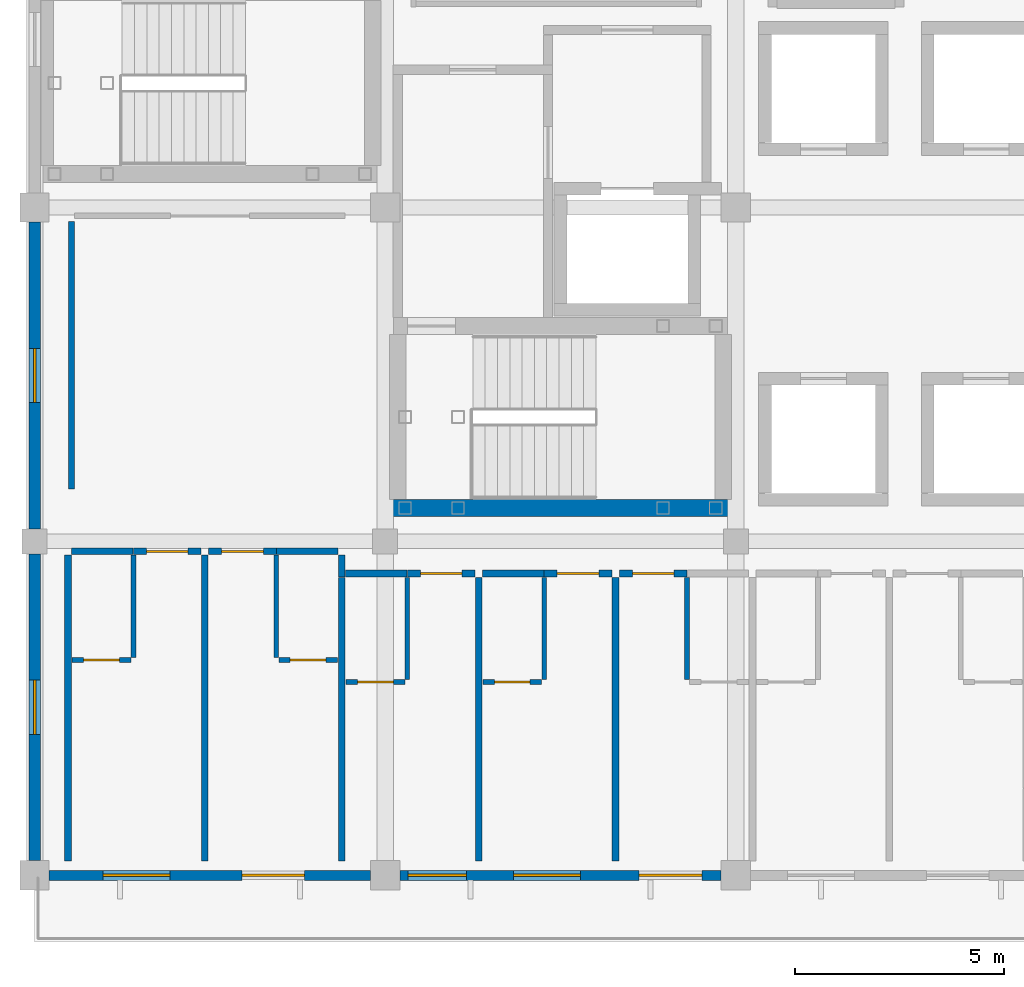
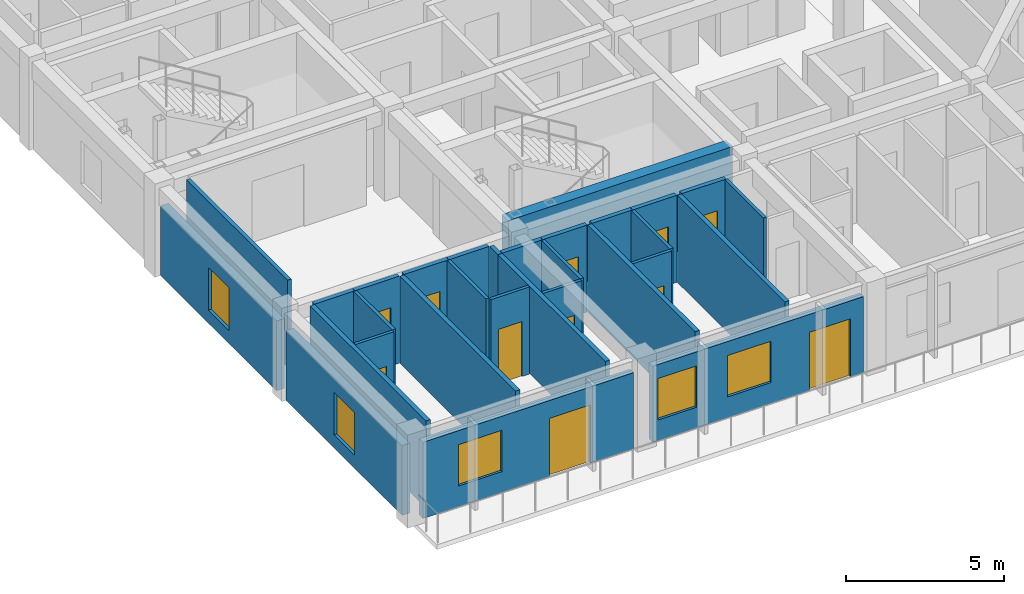
# One storey, part 4 of 15: 30 walls, 11 doors, 5 windows, 16 openings.
"""IFC4 building model written with IfcOpenShell, lengths in metres."""

from ifc_helpers import new_model, si_unit, direction, frame, frame_2d, origin, place, context, subcontext, project, spatial, rectangle, extrude, material, layer, layer_set, type_object, element, fill, save


model = new_model("IFC4")

# Units and contexts
model_context = context("Model", 3, precision=1e-05, world=origin(), true_north=direction((0.0, 1.0)))
body_context = subcontext(model_context, "Body", "Model", "MODEL_VIEW")
ifc_project = project(units=[si_unit("LENGTHUNIT", "METRE"), si_unit("AREAUNIT", "SQUARE_METRE"), si_unit("VOLUMEUNIT", "CUBIC_METRE"), si_unit("PLANEANGLEUNIT", "RADIAN"), si_unit("MASSUNIT", "GRAM", prefix="KILO")], contexts=[model_context])

# Site, building, storey
site_placement = place(None, origin())
site = spatial("IfcSite", under=ifc_project, at=site_placement, CompositionType="ELEMENT")
building_placement = place(site_placement, origin())
building = spatial("IfcBuilding", under=site, at=building_placement, Name="Naruveol Harbour Congress Hotel", CompositionType="ELEMENT")
storey_placement = place(building_placement, frame((0.0, 0.0, 36.0)))
storey = spatial("IfcBuildingStorey", under=building, at=storey_placement, Name="L08", CompositionType="ELEMENT", Elevation=36.0)

# Wall
ifc_material_1 = material(Name="Acoustic Double Stud Gypsum", Category="gypsum")
ifc_layer_1 = layer(ifc_material_1, 0.139892578125)
ifc_layer_set_1 = layer_set([ifc_layer_1], Name="Acoustic Double Stud Gypsum")
wall_type_1 = type_object("IfcWallType", Name="ACOUSTIC MEETING PARTITION WALL 140", PredefinedType="PARTITIONING", material=ifc_layer_set_1)
wall_1_placement = place(storey_placement, frame((118.47998046875, 9.25, 0.0), z_axis=(0.0, 0.0, 1.0), x_axis=(0.0, 1.0, 0.0)))
element("IfcWall", 1, at=wall_1_placement, inside=storey, type_object=wall_type_1, Name="Sky Club Salon west partition PW-140", PredefinedType="PARTITIONING", context=body_context, shape_type="SweptSolid", body=[
    extrude(rectangle(XDim=6.409912109375, YDim=0.139892578125, at=frame_2d((3.205078125, 0.0))), origin(), (0.0, 0.0, 1.0), 3.364990234375),
])

# Wall, opening, window
ifc_material_2 = material(Name="Precast concrete C40/50", Category="concrete")
ifc_layer_2 = layer(ifc_material_2, 0.280029296875)
ifc_layer_set_2 = layer_set([ifc_layer_2], Name="Precast concrete C40/50")
wall_type_2 = type_object("IfcWallType", Name="ARCHITECTURAL PRECAST FACADE WALL 280", PredefinedType="SOLIDWALL", material=ifc_layer_set_2)
wall_2_placement = place(storey_placement, frame((117.60009765625, 0.35009765625, 0.0), z_axis=(0.0, 0.0, 1.0), x_axis=(0.0, 1.0, 0.0)))
wall_2 = element("IfcWall", 2, at=wall_2_placement, inside=storey, type_object=wall_type_2, Name="Hotel west gable wall L08 EW-280", PredefinedType="SOLIDWALL", context=body_context, shape_type="SweptSolid", body=[
    extrude(rectangle(XDim=7.349853515625, YDim=0.280029296875, at=frame_2d((3.6748046875, 0.0))), origin(), (0.0, 0.0, 1.0), 2.699951171875),
])
opening_1_placement = place(wall_2_placement, frame((3.02490234375, 0.0, 0.5)))
opening_1 = element("IfcOpeningElement", 3, at=opening_1_placement, cuts=wall_2, Name="Opening W-27", PredefinedType="OPENING", context=body_context, shape_type="SweptSolid", body=[
    extrude(rectangle(XDim=1.300048828125, YDim=1.64990234375, at=frame_2d((0.64990234375, 0.824951171875))), frame((0.0, 0.14990234375, 0.0), z_axis=(0.0, -1.0, 0.0), x_axis=(1.0, 0.0, 0.0)), (0.0, 0.0, 1.0), 0.300048828125),
])
ifc_material_3 = material(Name="Low-E Triple Glazing in Thermal Aluminium", Category="aluminium")
window_type_1 = type_object("IfcWindowType", Name="READING SALON TALL WINDOW 1300X1650", PartitioningType="SINGLE_PANEL", PredefinedType="WINDOW", material=ifc_material_3)
window_1_placement = place(opening_1_placement, origin())
window_1 = element("IfcWindow", 4, at=window_1_placement, inside=storey, type_object=window_type_1, Name="Window W-27 #443", OverallHeight=1.64990234375, OverallWidth=1.300048828125, PartitioningType="SINGLE_PANEL", PredefinedType="WINDOW", context=body_context, shape_type="SweptSolid", body=[
    extrude(rectangle(XDim=1.300048828125, YDim=1.64990234375, at=frame_2d((0.64990234375, 0.824951171875))), frame((0.0, 0.030029296875, 0.0), z_axis=(0.0, -1.0, 0.0), x_axis=(1.0, 0.0, 0.0)), (0.0, 0.0, 1.0), 0.06005859375),
])
fill(opening_1, window_1)

wall_3_placement = place(storey_placement, frame((117.60009765625, 8.300048828125, 0.0), z_axis=(0.0, 0.0, 1.0), x_axis=(0.0, 1.0, 0.0)))
wall_3 = element("IfcWall", 5, at=wall_3_placement, inside=storey, type_object=wall_type_2, Name="Hotel west gable wall L08 EW-280", PredefinedType="SOLIDWALL", context=body_context, shape_type="SweptSolid", body=[
    extrude(rectangle(XDim=7.349853515625, YDim=0.280029296875, at=frame_2d((3.6748046875, 0.0))), origin(), (0.0, 0.0, 1.0), 2.699951171875),
])
opening_2_placement = place(wall_3_placement, frame((3.02490234375, 0.0, 0.5)))
opening_2 = element("IfcOpeningElement", 6, at=opening_2_placement, cuts=wall_3, Name="Opening W-27", PredefinedType="OPENING", context=body_context, shape_type="SweptSolid", body=[
    extrude(rectangle(XDim=1.300048828125, YDim=1.64990234375, at=frame_2d((0.64990234375, 0.824951171875))), frame((0.0, 0.14990234375, 0.0), z_axis=(0.0, -1.0, 0.0), x_axis=(1.0, 0.0, 0.0)), (0.0, 0.0, 1.0), 0.300048828125),
])
window_2_placement = place(opening_2_placement, origin())
window_2 = element("IfcWindow", 7, at=window_2_placement, inside=storey, type_object=window_type_1, Name="Window W-27 #444", OverallHeight=1.64990234375, OverallWidth=1.300048828125, PartitioningType="SINGLE_PANEL", PredefinedType="WINDOW", context=body_context, shape_type="SweptSolid", body=[
    extrude(rectangle(XDim=1.300048828125, YDim=1.64990234375, at=frame_2d((0.64990234375, 0.824951171875))), frame((0.0, 0.030029296875, 0.0), z_axis=(0.0, -1.0, 0.0), x_axis=(1.0, 0.0, 0.0)), (0.0, 0.0, 1.0), 0.06005859375),
])
fill(opening_2, window_2)

# Wall
ifc_material_4 = material(Name="Moisture-Resistant Gypsum Partition", Category="gypsum")
ifc_layer_3 = layer(ifc_material_4, 0.114990234375)
ifc_layer_set_3 = layer_set([ifc_layer_3], Name="Moisture-Resistant Gypsum Partition")
wall_type_3 = type_object("IfcWallType", Name="BATHROOM MOISTURE PARTITION WALL 115", PredefinedType="PARTITIONING", material=ifc_layer_set_3)
wall_4_placement = place(storey_placement, frame((119.969970703125, 5.219970703125, 0.0), z_axis=(0.0, 0.0, 1.0), x_axis=(0.0, 1.0, 0.0)))
element("IfcWall", 8, at=wall_4_placement, inside=storey, type_object=wall_type_3, Name="Bathroom east wall 0921 PW-115", PredefinedType="PARTITIONING", context=body_context, shape_type="SweptSolid", body=[
    extrude(rectangle(XDim=2.449951171875, YDim=0.114990234375, at=frame_2d((1.22509765625, 0.0))), origin(), (0.0, 0.0, 1.0), 3.364990234375),
])

# Wall, opening, door
wall_5_placement = place(storey_placement, frame((118.5, 5.159912109375, 0.0), z_axis=(0.0, 0.0, 1.0), x_axis=(1.0, 0.0, 0.0)))
wall_5 = element("IfcWall", 9, at=wall_5_placement, inside=storey, type_object=wall_type_3, Name="Bathroom south wall 0921 PW-115", PredefinedType="PARTITIONING", context=body_context, shape_type="SweptSolid", body=[
    extrude(rectangle(XDim=1.409912109375, YDim=0.114990234375, at=frame_2d((0.705078125, 0.0))), origin(), (0.0, 0.0, 1.0), 3.364990234375),
])
opening_3_placement = place(wall_5_placement, frame((0.27490234375, 0.0, 0.0)))
opening_3 = element("IfcOpeningElement", 10, at=opening_3_placement, cuts=wall_5, Name="Opening BD-RM0921", PredefinedType="OPENING", context=body_context, shape_type="SweptSolid", body=[
    extrude(rectangle(XDim=0.860107421875, YDim=2.1201171875, at=frame_2d((0.43017578125, 1.06005859375))), frame((0.0, 0.0673828125, 0.0), z_axis=(0.0, -1.0, 0.0), x_axis=(1.0, 0.0, 0.0)), (0.0, 0.0, 1.0), 0.135009765625),
])
ifc_material_5 = material(Name="Timber & Steel Acoustic Leaf", Category="steel")
door_type_1 = type_object("IfcDoorType", Name="GUEST BATHROOM DOOR 860X2120", OperationType="NOTDEFINED", PredefinedType="DOOR", material=ifc_material_5)
door_1_placement = place(opening_3_placement, origin())
door_1 = element("IfcDoor", 11, at=door_1_placement, inside=storey, type_object=door_type_1, Name="Bathroom Door 0921", OperationType="SINGLE_SWING_RIGHT", OverallHeight=2.1201171875, OverallWidth=0.860107421875, PredefinedType="DOOR", context=body_context, shape_type="SweptSolid", body=[
    extrude(rectangle(XDim=0.860107421875, YDim=2.1201171875, at=frame_2d((0.43017578125, 1.06005859375))), frame((0.0, 0.02490234375, 0.0), z_axis=(0.0, -1.0, 0.0), x_axis=(1.0, 0.0, 0.0)), (0.0, 0.0, 1.0), 0.050048828125),
])
fill(opening_3, door_1)

# Wall
wall_6_placement = place(storey_placement, frame((123.389892578125, 5.219970703125, 0.0), z_axis=(0.0, 0.0, 1.0), x_axis=(0.0, 1.0, 0.0)))
element("IfcWall", 12, at=wall_6_placement, inside=storey, type_object=wall_type_3, Name="Bathroom west wall 0922 PW-115", PredefinedType="PARTITIONING", context=body_context, shape_type="SweptSolid", body=[
    extrude(rectangle(XDim=2.449951171875, YDim=0.114990234375, at=frame_2d((1.22509765625, 0.0))), origin(), (0.0, 0.0, 1.0), 3.364990234375),
])

# Wall, opening, door
wall_7_placement = place(storey_placement, frame((123.449951171875, 5.159912109375, 0.0), z_axis=(0.0, 0.0, 1.0), x_axis=(1.0, 0.0, 0.0)))
wall_7 = element("IfcWall", 13, at=wall_7_placement, inside=storey, type_object=wall_type_3, Name="Bathroom south wall 0922 PW-115", PredefinedType="PARTITIONING", context=body_context, shape_type="SweptSolid", body=[
    extrude(rectangle(XDim=1.41015625, YDim=0.114990234375, at=frame_2d((0.705078125, 0.0))), origin(), (0.0, 0.0, 1.0), 3.364990234375),
])
opening_4_placement = place(wall_7_placement, frame((0.27490234375, 0.0, 0.0)))
opening_4 = element("IfcOpeningElement", 14, at=opening_4_placement, cuts=wall_7, Name="Opening BD-RM0922", PredefinedType="OPENING", context=body_context, shape_type="SweptSolid", body=[
    extrude(rectangle(XDim=0.860107421875, YDim=2.1201171875, at=frame_2d((0.43017578125, 1.06005859375))), frame((0.0, 0.0673828125, 0.0), z_axis=(0.0, -1.0, 0.0), x_axis=(1.0, 0.0, 0.0)), (0.0, 0.0, 1.0), 0.135009765625),
])
door_2_placement = place(opening_4_placement, origin())
door_2 = element("IfcDoor", 15, at=door_2_placement, inside=storey, type_object=door_type_1, Name="Bathroom Door 0922", OperationType="SINGLE_SWING_RIGHT", OverallHeight=2.1201171875, OverallWidth=0.860107421875, PredefinedType="DOOR", context=body_context, shape_type="SweptSolid", body=[
    extrude(rectangle(XDim=0.860107421875, YDim=2.1201171875, at=frame_2d((0.43017578125, 1.06005859375))), frame((0.0, 0.02490234375, 0.0), z_axis=(0.0, -1.0, 0.0), x_axis=(1.0, 0.0, 0.0)), (0.0, 0.0, 1.0), 0.050048828125),
])
fill(opening_4, door_2)

# Wall
wall_8_placement = place(storey_placement, frame((126.530029296875, 4.68994140625, 0.0), z_axis=(0.0, 0.0, 1.0), x_axis=(0.0, 1.0, 0.0)))
element("IfcWall", 16, at=wall_8_placement, inside=storey, type_object=wall_type_3, Name="Bathroom east wall 0923 PW-115", PredefinedType="PARTITIONING", context=body_context, shape_type="SweptSolid", body=[
    extrude(rectangle(XDim=2.449951171875, YDim=0.114990234375, at=frame_2d((1.22509765625, 0.0))), origin(), (0.0, 0.0, 1.0), 3.364990234375),
])

# Wall, opening, door
wall_9_placement = place(storey_placement, frame((125.06005859375, 4.6298828125, 0.0), z_axis=(0.0, 0.0, 1.0), x_axis=(1.0, 0.0, 0.0)))
wall_9 = element("IfcWall", 17, at=wall_9_placement, inside=storey, type_object=wall_type_3, Name="Bathroom south wall 0923 PW-115", PredefinedType="PARTITIONING", context=body_context, shape_type="SweptSolid", body=[
    extrude(rectangle(XDim=1.409912109375, YDim=0.114990234375, at=frame_2d((0.705078125, 0.0))), origin(), (0.0, 0.0, 1.0), 3.364990234375),
])
opening_5_placement = place(wall_9_placement, frame((0.27490234375, 0.0, 0.0)))
opening_5 = element("IfcOpeningElement", 18, at=opening_5_placement, cuts=wall_9, Name="Opening BD-RM0923", PredefinedType="OPENING", context=body_context, shape_type="SweptSolid", body=[
    extrude(rectangle(XDim=0.860107421875, YDim=2.1201171875, at=frame_2d((0.43017578125, 1.06005859375))), frame((0.0, 0.0673828125, 0.0), z_axis=(0.0, -1.0, 0.0), x_axis=(1.0, 0.0, 0.0)), (0.0, 0.0, 1.0), 0.135009765625),
])
door_3_placement = place(opening_5_placement, origin())
door_3 = element("IfcDoor", 19, at=door_3_placement, inside=storey, type_object=door_type_1, Name="Bathroom Door 0923", OperationType="SINGLE_SWING_RIGHT", OverallHeight=2.1201171875, OverallWidth=0.860107421875, PredefinedType="DOOR", context=body_context, shape_type="SweptSolid", body=[
    extrude(rectangle(XDim=0.860107421875, YDim=2.1201171875, at=frame_2d((0.43017578125, 1.06005859375))), frame((0.0, 0.02490234375, 0.0), z_axis=(0.0, -1.0, 0.0), x_axis=(1.0, 0.0, 0.0)), (0.0, 0.0, 1.0), 0.050048828125),
])
fill(opening_5, door_3)

# Wall
wall_10_placement = place(storey_placement, frame((129.81005859375, 4.68994140625, 0.0), z_axis=(0.0, 0.0, 1.0), x_axis=(0.0, 1.0, 0.0)))
element("IfcWall", 20, at=wall_10_placement, inside=storey, type_object=wall_type_3, Name="Bathroom east wall 0924 PW-115", PredefinedType="PARTITIONING", context=body_context, shape_type="SweptSolid", body=[
    extrude(rectangle(XDim=2.449951171875, YDim=0.114990234375, at=frame_2d((1.22509765625, 0.0))), origin(), (0.0, 0.0, 1.0), 3.364990234375),
])

# Wall, opening, door
wall_11_placement = place(storey_placement, frame((128.340087890625, 4.6298828125, 0.0), z_axis=(0.0, 0.0, 1.0), x_axis=(1.0, 0.0, 0.0)))
wall_11 = element("IfcWall", 21, at=wall_11_placement, inside=storey, type_object=wall_type_3, Name="Bathroom south wall 0924 PW-115", PredefinedType="PARTITIONING", context=body_context, shape_type="SweptSolid", body=[
    extrude(rectangle(XDim=1.409912109375, YDim=0.114990234375, at=frame_2d((0.705078125, 0.0))), origin(), (0.0, 0.0, 1.0), 3.364990234375),
])
opening_6_placement = place(wall_11_placement, frame((0.27490234375, 0.0, 0.0)))
opening_6 = element("IfcOpeningElement", 22, at=opening_6_placement, cuts=wall_11, Name="Opening BD-RM0924", PredefinedType="OPENING", context=body_context, shape_type="SweptSolid", body=[
    extrude(rectangle(XDim=0.860107421875, YDim=2.1201171875, at=frame_2d((0.43017578125, 1.06005859375))), frame((0.0, 0.0673828125, 0.0), z_axis=(0.0, -1.0, 0.0), x_axis=(1.0, 0.0, 0.0)), (0.0, 0.0, 1.0), 0.135009765625),
])
door_4_placement = place(opening_6_placement, origin())
door_4 = element("IfcDoor", 23, at=door_4_placement, inside=storey, type_object=door_type_1, Name="Bathroom Door 0924", OperationType="SINGLE_SWING_RIGHT", OverallHeight=2.1201171875, OverallWidth=0.860107421875, PredefinedType="DOOR", context=body_context, shape_type="SweptSolid", body=[
    extrude(rectangle(XDim=0.860107421875, YDim=2.1201171875, at=frame_2d((0.43017578125, 1.06005859375))), frame((0.0, 0.02490234375, 0.0), z_axis=(0.0, -1.0, 0.0), x_axis=(1.0, 0.0, 0.0)), (0.0, 0.0, 1.0), 0.050048828125),
])
fill(opening_6, door_4)

# Walls
wall_12_placement = place(storey_placement, frame((133.22998046875, 4.68994140625, 0.0), z_axis=(0.0, 0.0, 1.0), x_axis=(0.0, 1.0, 0.0)))
element("IfcWall", 24, at=wall_12_placement, inside=storey, type_object=wall_type_3, Name="Bathroom west wall 0925 PW-115", PredefinedType="PARTITIONING", context=body_context, shape_type="SweptSolid", body=[
    extrude(rectangle(XDim=2.449951171875, YDim=0.114990234375, at=frame_2d((1.22509765625, 0.0))), origin(), (0.0, 0.0, 1.0), 3.364990234375),
])
ifc_material_6 = material(Name="Autoclaved Aerated Concrete Block", Category="concrete")
ifc_layer_4 = layer(ifc_material_6, 0.159912109375)
ifc_layer_set_4 = layer_set([ifc_layer_4], Name="Autoclaved Aerated Concrete Block")
wall_type_4 = type_object("IfcWallType", Name="HOTEL PARTY AND CORRIDOR WALL 160 EI60", PredefinedType="PARTITIONING", material=ifc_layer_set_4)
wall_13_placement = place(storey_placement, frame((118.489990234375, 7.760009765625, 0.0), z_axis=(0.0, 0.0, 1.0), x_axis=(1.0, 0.0, 0.0)))
element("IfcWall", 25, at=wall_13_placement, inside=storey, type_object=wall_type_4, Name="Corridor wall 0921B PW-160", PredefinedType="PARTITIONING", context=body_context, shape_type="SweptSolid", body=[
    extrude(rectangle(XDim=1.469970703125, YDim=0.159912109375, at=frame_2d((0.73486328125, 0.0))), origin(), (0.0, 0.0, 1.0), 3.364990234375),
])

# Wall, opening, door
wall_14_placement = place(storey_placement, frame((119.969970703125, 7.760009765625, 0.0), z_axis=(0.0, 0.0, 1.0), x_axis=(1.0, 0.0, 0.0)))
wall_14 = element("IfcWall", 26, at=wall_14_placement, inside=storey, type_object=wall_type_4, Name="Corridor entry wall 0921 PW-160", PredefinedType="PARTITIONING", context=body_context, shape_type="SweptSolid", body=[
    extrude(rectangle(XDim=1.6201171875, YDim=0.159912109375, at=frame_2d((0.81005859375, 0.0))), origin(), (0.0, 0.0, 1.0), 3.364990234375),
])
opening_7_placement = place(wall_14_placement, frame((0.31005859375, 0.0, 0.0)))
opening_7 = element("IfcOpeningElement", 27, at=opening_7_placement, cuts=wall_14, Name="Opening FD-RM0921", PredefinedType="OPENING", context=body_context, shape_type="SweptSolid", body=[
    extrude(rectangle(XDim=1.0, YDim=2.25, at=frame_2d((0.5, 1.125))), frame((0.0, 0.08984375, 0.0), z_axis=(0.0, -1.0, 0.0), x_axis=(1.0, 0.0, 0.0)), (0.0, 0.0, 1.0), 0.179931640625),
])
ifc_material_7 = material(Name="Timber & Steel Acoustic Leaf", Category="steel")
door_type_2 = type_object("IfcDoorType", Name="DELUXE GUEST ENTRANCE FIRE DOOR 1000X2250", OperationType="NOTDEFINED", PredefinedType="DOOR", material=ifc_material_7)
door_5_placement = place(opening_7_placement, origin())
door_5 = element("IfcDoor", 28, at=door_5_placement, inside=storey, type_object=door_type_2, Name="Hotel Room Door 0921", OperationType="SINGLE_SWING_LEFT", OverallHeight=2.25, OverallWidth=1.0, PredefinedType="DOOR", context=body_context, shape_type="SweptSolid", body=[
    extrude(rectangle(XDim=1.0, YDim=2.25, at=frame_2d((0.5, 1.125))), frame((0.0, 0.02490234375, 0.0), z_axis=(0.0, -1.0, 0.0), x_axis=(1.0, 0.0, 0.0)), (0.0, 0.0, 1.0), 0.050048828125),
])
fill(opening_7, door_5)

# Wall
wall_15_placement = place(storey_placement, frame((118.39990234375, 0.340087890625, 0.0), z_axis=(0.0, 0.0, 1.0), x_axis=(0.0, 1.0, 0.0)))
element("IfcWall", 29, at=wall_15_placement, inside=storey, type_object=wall_type_4, Name="Hotel party wall 0921 PW-160", PredefinedType="PARTITIONING", context=body_context, shape_type="SweptSolid", body=[
    extrude(rectangle(XDim=7.329833984375, YDim=0.159912109375, at=frame_2d((3.6650390625, 0.0))), origin(), (0.0, 0.0, 1.0), 3.364990234375),
])

# Wall, opening, door
wall_16_placement = place(storey_placement, frame((121.77001953125, 7.760009765625, 0.0), z_axis=(0.0, 0.0, 1.0), x_axis=(1.0, 0.0, 0.0)))
wall_16 = element("IfcWall", 30, at=wall_16_placement, inside=storey, type_object=wall_type_4, Name="Corridor entry wall 0922 PW-160", PredefinedType="PARTITIONING", context=body_context, shape_type="SweptSolid", body=[
    extrude(rectangle(XDim=1.619873046875, YDim=0.159912109375, at=frame_2d((0.81005859375, 0.0))), origin(), (0.0, 0.0, 1.0), 3.364990234375),
])
opening_8_placement = place(wall_16_placement, frame((0.31005859375, 0.0, 0.0)))
opening_8 = element("IfcOpeningElement", 31, at=opening_8_placement, cuts=wall_16, Name="Opening FD-RM0922", PredefinedType="OPENING", context=body_context, shape_type="SweptSolid", body=[
    extrude(rectangle(XDim=1.0, YDim=2.25, at=frame_2d((0.5, 1.125))), frame((0.0, 0.08984375, 0.0), z_axis=(0.0, -1.0, 0.0), x_axis=(1.0, 0.0, 0.0)), (0.0, 0.0, 1.0), 0.179931640625),
])
door_6_placement = place(opening_8_placement, origin())
door_6 = element("IfcDoor", 32, at=door_6_placement, inside=storey, type_object=door_type_2, Name="Hotel Room Door 0922", OperationType="SINGLE_SWING_LEFT", OverallHeight=2.25, OverallWidth=1.0, PredefinedType="DOOR", context=body_context, shape_type="SweptSolid", body=[
    extrude(rectangle(XDim=1.0, YDim=2.25, at=frame_2d((0.5, 1.125))), frame((0.0, 0.02490234375, 0.0), z_axis=(0.0, -1.0, 0.0), x_axis=(1.0, 0.0, 0.0)), (0.0, 0.0, 1.0), 0.050048828125),
])
fill(opening_8, door_6)

# Walls
wall_17_placement = place(storey_placement, frame((123.39990234375, 7.760009765625, 0.0), z_axis=(0.0, 0.0, 1.0), x_axis=(1.0, 0.0, 0.0)))
element("IfcWall", 33, at=wall_17_placement, inside=storey, type_object=wall_type_4, Name="Corridor wall 0922B PW-160", PredefinedType="PARTITIONING", context=body_context, shape_type="SweptSolid", body=[
    extrude(rectangle(XDim=1.47021484375, YDim=0.159912109375, at=frame_2d((0.735107421875, 0.0))), origin(), (0.0, 0.0, 1.0), 3.364990234375),
])
wall_18_placement = place(storey_placement, frame((121.679931640625, 0.340087890625, 0.0), z_axis=(0.0, 0.0, 1.0), x_axis=(0.0, 1.0, 0.0)))
element("IfcWall", 34, at=wall_18_placement, inside=storey, type_object=wall_type_4, Name="Hotel party wall 0922 PW-160", PredefinedType="PARTITIONING", context=body_context, shape_type="SweptSolid", body=[
    extrude(rectangle(XDim=7.329833984375, YDim=0.159912109375, at=frame_2d((3.6650390625, 0.0))), origin(), (0.0, 0.0, 1.0), 3.364990234375),
])
wall_19_placement = place(storey_placement, frame((124.9599609375, 7.14990234375, 0.0), z_axis=(0.0, 0.0, 1.0), x_axis=(0.0, 1.0, 0.0)))
element("IfcWall", 35, at=wall_19_placement, inside=storey, type_object=wall_type_4, Name="Hotel end party wall 0922 PW-160", PredefinedType="PARTITIONING", context=body_context, shape_type="SweptSolid", body=[
    extrude(rectangle(XDim=0.52001953125, YDim=0.159912109375, at=frame_2d((0.260009765625, 0.0))), origin(), (0.0, 0.0, 1.0), 3.364990234375),
])
wall_20_placement = place(storey_placement, frame((125.050048828125, 7.22998046875, 0.0), z_axis=(0.0, 0.0, 1.0), x_axis=(1.0, 0.0, 0.0)))
element("IfcWall", 36, at=wall_20_placement, inside=storey, type_object=wall_type_4, Name="Corridor wall 0923B PW-160", PredefinedType="PARTITIONING", context=body_context, shape_type="SweptSolid", body=[
    extrude(rectangle(XDim=1.469970703125, YDim=0.159912109375, at=frame_2d((0.73486328125, 0.0))), origin(), (0.0, 0.0, 1.0), 3.364990234375),
])

# Wall, opening, door
wall_21_placement = place(storey_placement, frame((126.530029296875, 7.22998046875, 0.0), z_axis=(0.0, 0.0, 1.0), x_axis=(1.0, 0.0, 0.0)))
wall_21 = element("IfcWall", 37, at=wall_21_placement, inside=storey, type_object=wall_type_4, Name="Corridor entry wall 0923 PW-160", PredefinedType="PARTITIONING", context=body_context, shape_type="SweptSolid", body=[
    extrude(rectangle(XDim=1.619873046875, YDim=0.159912109375, at=frame_2d((0.81005859375, 0.0))), origin(), (0.0, 0.0, 1.0), 3.364990234375),
])
opening_9_placement = place(wall_21_placement, frame((0.31005859375, 0.0, 0.0)))
opening_9 = element("IfcOpeningElement", 38, at=opening_9_placement, cuts=wall_21, Name="Opening FD-RM0923", PredefinedType="OPENING", context=body_context, shape_type="SweptSolid", body=[
    extrude(rectangle(XDim=1.0, YDim=2.25, at=frame_2d((0.5, 1.125))), frame((0.0, 0.08984375, 0.0), z_axis=(0.0, -1.0, 0.0), x_axis=(1.0, 0.0, 0.0)), (0.0, 0.0, 1.0), 0.179931640625),
])
door_7_placement = place(opening_9_placement, origin())
door_7 = element("IfcDoor", 39, at=door_7_placement, inside=storey, type_object=door_type_2, Name="Hotel Room Door 0923", OperationType="SINGLE_SWING_LEFT", OverallHeight=2.25, OverallWidth=1.0, PredefinedType="DOOR", context=body_context, shape_type="SweptSolid", body=[
    extrude(rectangle(XDim=1.0, YDim=2.25, at=frame_2d((0.5, 1.125))), frame((0.0, 0.02490234375, 0.0), z_axis=(0.0, -1.0, 0.0), x_axis=(1.0, 0.0, 0.0)), (0.0, 0.0, 1.0), 0.050048828125),
])
fill(opening_9, door_7)

# Walls
wall_22_placement = place(storey_placement, frame((124.9599609375, 0.340087890625, 0.0), z_axis=(0.0, 0.0, 1.0), x_axis=(0.0, 1.0, 0.0)))
element("IfcWall", 40, at=wall_22_placement, inside=storey, type_object=wall_type_4, Name="Hotel party wall 0923 PW-160", PredefinedType="PARTITIONING", context=body_context, shape_type="SweptSolid", body=[
    extrude(rectangle(XDim=6.7998046875, YDim=0.159912109375, at=frame_2d((3.39990234375, 0.0))), origin(), (0.0, 0.0, 1.0), 3.364990234375),
])
wall_23_placement = place(storey_placement, frame((128.330078125, 7.22998046875, 0.0), z_axis=(0.0, 0.0, 1.0), x_axis=(1.0, 0.0, 0.0)))
element("IfcWall", 41, at=wall_23_placement, inside=storey, type_object=wall_type_4, Name="Corridor wall 0924B PW-160", PredefinedType="PARTITIONING", context=body_context, shape_type="SweptSolid", body=[
    extrude(rectangle(XDim=1.469970703125, YDim=0.159912109375, at=frame_2d((0.73486328125, 0.0))), origin(), (0.0, 0.0, 1.0), 3.364990234375),
])

# Wall, opening, door
wall_24_placement = place(storey_placement, frame((129.81005859375, 7.22998046875, 0.0), z_axis=(0.0, 0.0, 1.0), x_axis=(1.0, 0.0, 0.0)))
wall_24 = element("IfcWall", 42, at=wall_24_placement, inside=storey, type_object=wall_type_4, Name="Corridor entry wall 0924 PW-160", PredefinedType="PARTITIONING", context=body_context, shape_type="SweptSolid", body=[
    extrude(rectangle(XDim=1.619873046875, YDim=0.159912109375, at=frame_2d((0.81005859375, 0.0))), origin(), (0.0, 0.0, 1.0), 3.364990234375),
])
opening_10_placement = place(wall_24_placement, frame((0.31005859375, 0.0, 0.0)))
opening_10 = element("IfcOpeningElement", 43, at=opening_10_placement, cuts=wall_24, Name="Opening FD-RM0924", PredefinedType="OPENING", context=body_context, shape_type="SweptSolid", body=[
    extrude(rectangle(XDim=1.0, YDim=2.25, at=frame_2d((0.5, 1.125))), frame((0.0, 0.08984375, 0.0), z_axis=(0.0, -1.0, 0.0), x_axis=(1.0, 0.0, 0.0)), (0.0, 0.0, 1.0), 0.179931640625),
])
door_8_placement = place(opening_10_placement, origin())
door_8 = element("IfcDoor", 44, at=door_8_placement, inside=storey, type_object=door_type_2, Name="Hotel Room Door 0924", OperationType="SINGLE_SWING_LEFT", OverallHeight=2.25, OverallWidth=1.0, PredefinedType="DOOR", context=body_context, shape_type="SweptSolid", body=[
    extrude(rectangle(XDim=1.0, YDim=2.25, at=frame_2d((0.5, 1.125))), frame((0.0, 0.02490234375, 0.0), z_axis=(0.0, -1.0, 0.0), x_axis=(1.0, 0.0, 0.0)), (0.0, 0.0, 1.0), 0.050048828125),
])
fill(opening_10, door_8)

# Wall
wall_25_placement = place(storey_placement, frame((128.239990234375, 0.340087890625, 0.0), z_axis=(0.0, 0.0, 1.0), x_axis=(0.0, 1.0, 0.0)))
element("IfcWall", 45, at=wall_25_placement, inside=storey, type_object=wall_type_4, Name="Hotel party wall 0924 PW-160", PredefinedType="PARTITIONING", context=body_context, shape_type="SweptSolid", body=[
    extrude(rectangle(XDim=6.7998046875, YDim=0.159912109375, at=frame_2d((3.39990234375, 0.0))), origin(), (0.0, 0.0, 1.0), 3.364990234375),
])

# Wall, opening, door
wall_26_placement = place(storey_placement, frame((131.610107421875, 7.22998046875, 0.0), z_axis=(0.0, 0.0, 1.0), x_axis=(1.0, 0.0, 0.0)))
wall_26 = element("IfcWall", 46, at=wall_26_placement, inside=storey, type_object=wall_type_4, Name="Corridor entry wall 0925 PW-160", PredefinedType="PARTITIONING", context=body_context, shape_type="SweptSolid", body=[
    extrude(rectangle(XDim=1.619873046875, YDim=0.159912109375, at=frame_2d((0.81005859375, 0.0))), origin(), (0.0, 0.0, 1.0), 3.364990234375),
])
opening_11_placement = place(wall_26_placement, frame((0.31005859375, 0.0, 0.0)))
opening_11 = element("IfcOpeningElement", 47, at=opening_11_placement, cuts=wall_26, Name="Opening FD-RM0925", PredefinedType="OPENING", context=body_context, shape_type="SweptSolid", body=[
    extrude(rectangle(XDim=1.0, YDim=2.25, at=frame_2d((0.5, 1.125))), frame((0.0, 0.08984375, 0.0), z_axis=(0.0, -1.0, 0.0), x_axis=(1.0, 0.0, 0.0)), (0.0, 0.0, 1.0), 0.179931640625),
])
door_9_placement = place(opening_11_placement, origin())
door_9 = element("IfcDoor", 48, at=door_9_placement, inside=storey, type_object=door_type_2, Name="Hotel Room Door 0925", OperationType="SINGLE_SWING_LEFT", OverallHeight=2.25, OverallWidth=1.0, PredefinedType="DOOR", context=body_context, shape_type="SweptSolid", body=[
    extrude(rectangle(XDim=1.0, YDim=2.25, at=frame_2d((0.5, 1.125))), frame((0.0, 0.02490234375, 0.0), z_axis=(0.0, -1.0, 0.0), x_axis=(1.0, 0.0, 0.0)), (0.0, 0.0, 1.0), 0.050048828125),
])
fill(opening_11, door_9)

# Wall
wall_27_placement = place(storey_placement, frame((131.52001953125, 0.340087890625, 0.0), z_axis=(0.0, 0.0, 1.0), x_axis=(0.0, 1.0, 0.0)))
element("IfcWall", 49, at=wall_27_placement, inside=storey, type_object=wall_type_4, Name="Hotel party wall 0925 PW-160", PredefinedType="PARTITIONING", context=body_context, shape_type="SweptSolid", body=[
    extrude(rectangle(XDim=6.7998046875, YDim=0.159912109375, at=frame_2d((3.39990234375, 0.0))), origin(), (0.0, 0.0, 1.0), 3.364990234375),
])

# Wall, openings, window, door
ifc_material_8 = material(Name="Concrete C40/50", Category="concrete")
ifc_layer_5 = layer(ifc_material_8, 0.239990234375)
ifc_layer_set_5 = layer_set([ifc_layer_5], Name="Concrete C40/50")
wall_type_5 = type_object("IfcWallType", Name="INSULATED HOTEL SPANDREL WALL 240", PredefinedType="SOLIDWALL", material=ifc_layer_set_5)
wall_28_placement = place(storey_placement, frame((125.64990234375, 0.0, 0.0), z_axis=(0.0, 0.0, 1.0), x_axis=(-1.0, 0.0, 0.0)))
wall_28 = element("IfcWall", 50, at=wall_28_placement, inside=storey, type_object=wall_type_5, Name="Hotel south waterfront wall L08 EW-240", PredefinedType="SOLIDWALL", context=body_context, shape_type="SweptSolid", body=[
    extrude(rectangle(XDim=7.699951171875, YDim=0.239990234375, at=frame_2d((3.85009765625, 0.0))), origin(), (0.0, 0.0, 1.0), 2.93994140625),
])
opening_12_placement = place(wall_28_placement, frame((1.580078125, 0.0, 0.0)))
opening_12 = element("IfcOpeningElement", 51, at=opening_12_placement, cuts=wall_28, Name="Opening BD-150-061", PredefinedType="OPENING", context=body_context, shape_type="SweptSolid", body=[
    extrude(rectangle(XDim=1.5, YDim=2.25, at=frame_2d((0.75, 1.125))), frame((0.0, 0.1298828125, 0.0), z_axis=(0.0, -1.0, 0.0), x_axis=(1.0, 0.0, 0.0)), (0.0, 0.0, 1.0), 0.260009765625),
])
opening_13_placement = place(wall_28_placement, frame((4.81005859375, 0.0, 0.800048828125)))
opening_13 = element("IfcOpeningElement", 52, at=opening_13_placement, cuts=wall_28, Name="Opening W-03", PredefinedType="OPENING", context=body_context, shape_type="SweptSolid", body=[
    extrude(rectangle(XDim=1.60009765625, YDim=1.60009765625, at=frame_2d((0.800048828125, 0.800048828125))), frame((0.0, 0.1298828125, 0.0), z_axis=(0.0, -1.0, 0.0), x_axis=(1.0, 0.0, 0.0)), (0.0, 0.0, 1.0), 0.260009765625),
])
ifc_material_9 = material(Name="Low-E Triple Glazing in Thermal Aluminium", Category="aluminium")
window_type_2 = type_object("IfcWindowType", Name="DELUXE GUEST WINDOW 1600X1600", PartitioningType="SINGLE_PANEL", PredefinedType="WINDOW", material=ifc_material_9)
window_3_placement = place(opening_13_placement, origin())
window_3 = element("IfcWindow", 53, at=window_3_placement, inside=storey, type_object=window_type_2, Name="Window W-03 #415", OverallHeight=1.60009765625, OverallWidth=1.60009765625, PartitioningType="SINGLE_PANEL", PredefinedType="WINDOW", context=body_context, shape_type="SweptSolid", body=[
    extrude(rectangle(XDim=1.60009765625, YDim=1.60009765625, at=frame_2d((0.800048828125, 0.800048828125))), frame((0.0, 0.030029296875, 0.0), z_axis=(0.0, -1.0, 0.0), x_axis=(1.0, 0.0, 0.0)), (0.0, 0.0, 1.0), 0.06005859375),
])
fill(opening_13, window_3)
ifc_material_10 = material(Name="Powder-Coated Steel & Insulated Glazing", Category="steel")
door_type_3 = type_object("IfcDoorType", Name="SUITE BALCONY SLIDING DOOR 1500X2250", OperationType="SLIDING_TO_LEFT", PredefinedType="DOOR", material=ifc_material_10)
door_10_placement = place(opening_12_placement, origin())
door_10 = element("IfcDoor", 54, at=door_10_placement, inside=storey, type_object=door_type_3, Name="Exterior door BD-150-061", OperationType="SLIDING_TO_LEFT", OverallHeight=2.25, OverallWidth=1.5, PredefinedType="DOOR", context=body_context, shape_type="SweptSolid", body=[
    extrude(rectangle(XDim=1.5, YDim=2.25, at=frame_2d((0.75, 1.125))), frame((0.0, 0.02490234375, 0.0), z_axis=(0.0, -1.0, 0.0), x_axis=(1.0, 0.0, 0.0)), (0.0, 0.0, 1.0), 0.050048828125),
])
fill(opening_12, door_10)

# Wall, openings, windows, door
wall_29_placement = place(storey_placement, frame((134.050048828125, 0.0, 0.0), z_axis=(0.0, 0.0, 1.0), x_axis=(-1.0, 0.0, 0.0)))
wall_29 = element("IfcWall", 55, at=wall_29_placement, inside=storey, type_object=wall_type_5, Name="Hotel south waterfront wall L08 EW-240", PredefinedType="SOLIDWALL", context=body_context, shape_type="SweptSolid", body=[
    extrude(rectangle(XDim=7.699951171875, YDim=0.239990234375, at=frame_2d((3.85009765625, 0.0))), origin(), (0.0, 0.0, 1.0), 2.93994140625),
])
opening_14_placement = place(wall_29_placement, frame((0.465087890625, 0.0, 0.0)))
opening_14 = element("IfcOpeningElement", 56, at=opening_14_placement, cuts=wall_29, Name="Opening BD-150-062", PredefinedType="OPENING", context=body_context, shape_type="SweptSolid", body=[
    extrude(rectangle(XDim=1.5, YDim=2.25, at=frame_2d((0.75, 1.125))), frame((0.0, 0.1298828125, 0.0), z_axis=(0.0, -1.0, 0.0), x_axis=(1.0, 0.0, 0.0)), (0.0, 0.0, 1.0), 0.260009765625),
])
opening_15_placement = place(wall_29_placement, frame((3.3701171875, 0.0, 0.800048828125)))
opening_15 = element("IfcOpeningElement", 57, at=opening_15_placement, cuts=wall_29, Name="Opening W-03", PredefinedType="OPENING", context=body_context, shape_type="SweptSolid", body=[
    extrude(rectangle(XDim=1.60009765625, YDim=1.60009765625, at=frame_2d((0.800048828125, 0.800048828125))), frame((0.0, 0.1298828125, 0.0), z_axis=(0.0, -1.0, 0.0), x_axis=(1.0, 0.0, 0.0)), (0.0, 0.0, 1.0), 0.260009765625),
])
opening_16_placement = place(wall_29_placement, frame((6.10498046875, 0.0, 0.800048828125)))
opening_16 = element("IfcOpeningElement", 58, at=opening_16_placement, cuts=wall_29, Name="Opening W-02", PredefinedType="OPENING", context=body_context, shape_type="SweptSolid", body=[
    extrude(rectangle(XDim=1.39990234375, YDim=1.60009765625, at=frame_2d((0.699951171875, 0.800048828125))), frame((0.0, 0.1298828125, 0.0), z_axis=(0.0, -1.0, 0.0), x_axis=(1.0, 0.0, 0.0)), (0.0, 0.0, 1.0), 0.260009765625),
])
window_4_placement = place(opening_15_placement, origin())
window_4 = element("IfcWindow", 59, at=window_4_placement, inside=storey, type_object=window_type_2, Name="Window W-03 #418", OverallHeight=1.60009765625, OverallWidth=1.60009765625, PartitioningType="SINGLE_PANEL", PredefinedType="WINDOW", context=body_context, shape_type="SweptSolid", body=[
    extrude(rectangle(XDim=1.60009765625, YDim=1.60009765625, at=frame_2d((0.800048828125, 0.800048828125))), frame((0.0, 0.030029296875, 0.0), z_axis=(0.0, -1.0, 0.0), x_axis=(1.0, 0.0, 0.0)), (0.0, 0.0, 1.0), 0.06005859375),
])
fill(opening_15, window_4)
ifc_material_11 = material(Name="Low-E Triple Glazing in Thermal Aluminium", Category="aluminium")
window_type_3 = type_object("IfcWindowType", Name="GUEST ROOM HARBOUR WINDOW 1400X1600", PartitioningType="SINGLE_PANEL", PredefinedType="WINDOW", material=ifc_material_11)
window_5_placement = place(opening_16_placement, origin())
window_5 = element("IfcWindow", 60, at=window_5_placement, inside=storey, type_object=window_type_3, Name="Window W-02 #419", OverallHeight=1.60009765625, OverallWidth=1.39990234375, PartitioningType="SINGLE_PANEL", PredefinedType="WINDOW", context=body_context, shape_type="SweptSolid", body=[
    extrude(rectangle(XDim=1.39990234375, YDim=1.60009765625, at=frame_2d((0.699951171875, 0.800048828125))), frame((0.0, 0.030029296875, 0.0), z_axis=(0.0, -1.0, 0.0), x_axis=(1.0, 0.0, 0.0)), (0.0, 0.0, 1.0), 0.06005859375),
])
fill(opening_16, window_5)
door_11_placement = place(opening_14_placement, origin())
door_11 = element("IfcDoor", 61, at=door_11_placement, inside=storey, type_object=door_type_3, Name="Exterior door BD-150-062", OperationType="SLIDING_TO_LEFT", OverallHeight=2.25, OverallWidth=1.5, PredefinedType="DOOR", context=body_context, shape_type="SweptSolid", body=[
    extrude(rectangle(XDim=1.5, YDim=2.25, at=frame_2d((0.75, 1.125))), frame((0.0, 0.02490234375, 0.0), z_axis=(0.0, -1.0, 0.0), x_axis=(1.0, 0.0, 0.0)), (0.0, 0.0, 1.0), 0.050048828125),
])
fill(opening_14, door_11)

# Wall
ifc_material_12 = material(Name="Concrete C50/60", Category="concrete")
ifc_layer_6 = layer(ifc_material_12, 0.39990234375)
ifc_layer_set_6 = layer_set([ifc_layer_6], Name="Concrete C50/60")
wall_type_6 = type_object("IfcWallType", Name="RC CORE SHEAR WALL 400 EI120", PredefinedType="SHEAR", material=ifc_layer_set_6)
wall_30_placement = place(storey_placement, frame((126.10009765625, 8.800048828125, 0.0), z_axis=(0.0, 0.0, 1.0), x_axis=(1.0, 0.0, 0.0)))
element("IfcWall", 62, at=wall_30_placement, inside=storey, type_object=wall_type_6, Name="Stair ST1 south core wall CW-400", PredefinedType="SHEAR", context=body_context, shape_type="SweptSolid", body=[
    extrude(rectangle(XDim=8.199951171875, YDim=0.39990234375, at=frame_2d((4.10009765625, 0.0))), origin(), (0.0, 0.0, 1.0), 3.364990234375),
])

save(model, "model.ifc")
